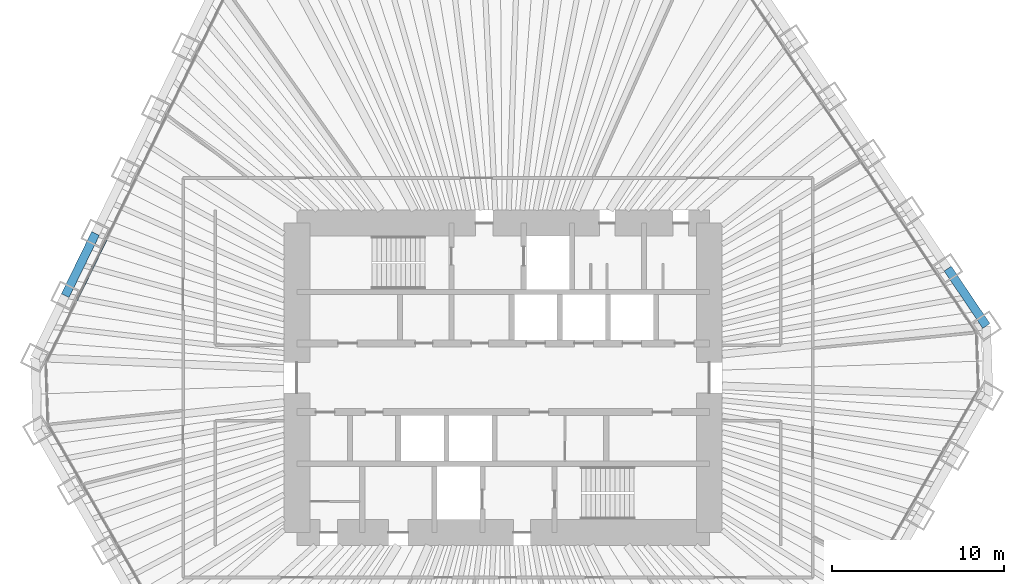
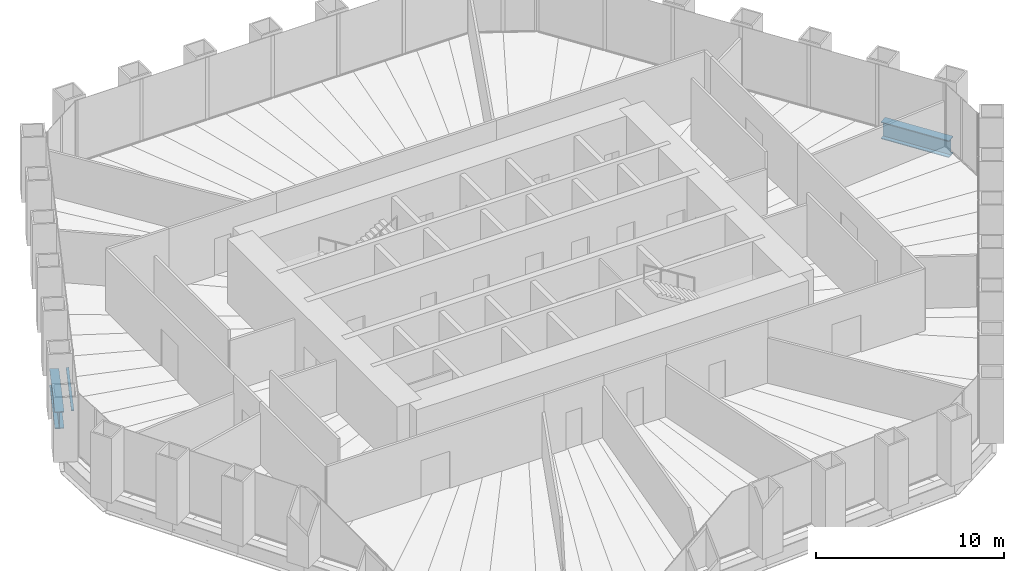
# One storey, part 5 of 13: 2 beams, 1 member, 1 element without a shape of its own.
"""IFC4 building model written with IfcOpenShell, lengths in metres."""

from ifc_helpers import new_model, si_unit, direction, frame, origin, origin_2d, place, context, subcontext, project, spatial, rectangle, i_section, extrude, material, material_profile, profile_set, type_object, element, aggregate, save


model = new_model("IFC4")

# Units and contexts
model_context = context("Model", 3, precision=1e-05, world=origin(), true_north=direction((0.0, 1.0)))
body_context = subcontext(model_context, "Body", "Model", "MODEL_VIEW")
ifc_project = project(units=[si_unit("LENGTHUNIT", "METRE"), si_unit("AREAUNIT", "SQUARE_METRE"), si_unit("VOLUMEUNIT", "CUBIC_METRE"), si_unit("PLANEANGLEUNIT", "RADIAN"), si_unit("MASSUNIT", "GRAM", prefix="KILO")], contexts=[model_context])

# Site, building, storey
site_placement = place(None, origin())
site = spatial("IfcSite", under=ifc_project, at=site_placement, CompositionType="ELEMENT")
building_placement = place(site_placement, origin())
building = spatial("IfcBuilding", under=site, at=building_placement, Name="Qingtian Harvest Tower", CompositionType="ELEMENT")
storey_placement = place(building_placement, frame((0.0, 0.0, 119.800048828125)))
storey = spatial("IfcBuildingStorey", under=building, at=storey_placement, Name="L24", CompositionType="ELEMENT", Elevation=119.800048828125)

# Beams
ifc_material_1 = material(Name="Steel SM570MC", Category="steel")
ifc_material_profile_1 = material_profile(ifc_material_1, i_section(OverallWidth=0.5, OverallDepth=1.10009765625, WebThickness=0.02490234375, FlangeThickness=0.050048828125, at=origin_2d()), Name="H1100x500x25x50")
ifc_profile_set_1 = profile_set([ifc_material_profile_1], Name="Steel SM570MC")
beam_type = type_object("IfcBeamType", Name="Spandrel beam SB2 H1100x500x25x50", PredefinedType="SPANDREL", material=ifc_profile_set_1)
for number, where, z_axis, x_axis, name in (
    (1, (25.8720703125, 6.3505859375, -0.550048828125), (0.55916400171, -0.829057066306, 0.0), (0.829057066306, 0.55916400171, 0.0), "Spandrel SB2 NE5"),
    (2, (-25.483154296875, 4.78125, -0.550048828125), (0.438396105405, 0.89878187274, 0.0), (-0.89878187274, 0.438396105405, 0.0), "Spandrel SB2 NW1"),
):
    element("IfcBeam", number, at=place(storey_placement, frame(where, z_axis=z_axis, x_axis=x_axis)), inside=storey, type_object=beam_type, Name=name, PredefinedType="SPANDREL", context=body_context, shape_type="SweptSolid", body=[
        extrude(i_section(OverallWidth=0.5, OverallDepth=1.10009765625, WebThickness=0.02490234375, FlangeThickness=0.050048828125, at=origin_2d()), origin(), (0.0, 0.0, 1.0), 4.01904296875),
    ])

# Curtain wall, member
ifc_material_2 = material(Name="Bronze-anodised aluminium curtain wall", Category="aluminium")
curtain_wall_type = type_object("IfcCurtainWallType", Name="Curtain wall CW4 office", PredefinedType="USERDEFINED", material=ifc_material_2)
curtain_wall_placement = place(storey_placement, origin())
curtain_wall = element("IfcCurtainWall", 3, at=curtain_wall_placement, inside=storey, type_object=curtain_wall_type, Name="Curtain wall CW4 L24 NW0-5", ObjectType="RECESSED CURTAIN WALL", PredefinedType="USERDEFINED")
ifc_material_3 = material(Name="Bronze-anodised aluminium transom", Category="aluminium")
ifc_material_profile_2 = material_profile(ifc_material_3, rectangle(XDim=0.14990234375, YDim=0.06494140625, at=origin_2d()), Name="AL 65x150")
ifc_profile_set_2 = profile_set([ifc_material_profile_2], Name="Bronze-anodised aluminium transom")
member_type = type_object("IfcMemberType", Name="Transom CWT 65x150", PredefinedType="USERDEFINED", material=ifc_profile_set_2)
member_placement = place(storey_placement, frame((-24.839599609375, 4.503662109375, 0.032470703125), z_axis=(0.438374972828, 0.898792180205, 0.0), x_axis=(-0.898792180205, 0.438374972828, 0.0)))
member = element("IfcMember", 4, at=member_placement, type_object=member_type, Name="CW4 transom 2.1", ObjectType="TRANSOM", PredefinedType="USERDEFINED", context=body_context, shape_type="SweptSolid", body=[
    extrude(rectangle(XDim=0.14990234375, YDim=0.06494140625, at=origin_2d()), origin(), (0.0, 0.0, 1.0), 3.9541015625),
])
aggregate(curtain_wall, [member])

save(model, "model.ifc")
